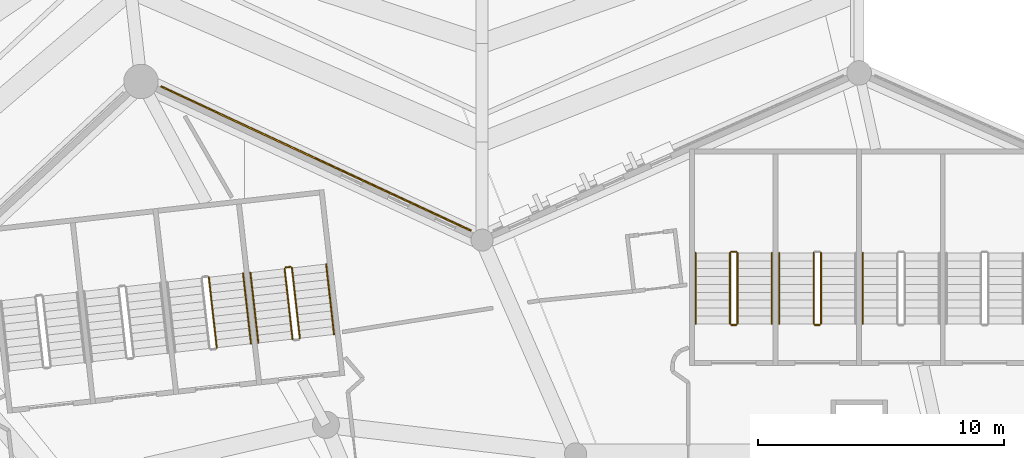
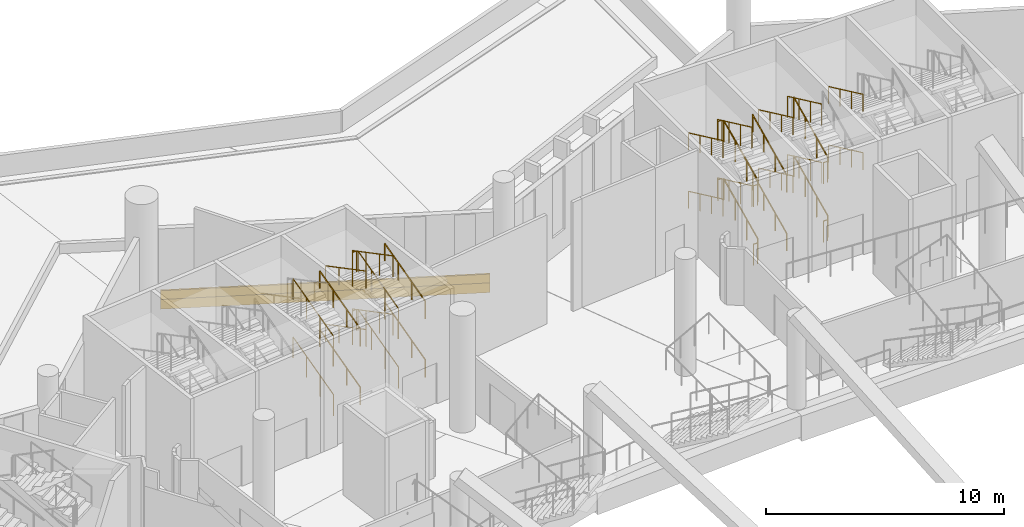
# One storey, part 155 of 173: 36 railings, 2 coverings.
"""IFC4 building model written with IfcOpenShell, lengths in metres."""

from ifc_helpers import new_model, si_unit, direction, frame, origin, origin_2d, place, context, subcontext, project, spatial, rectangle, circle, extrude, material, layer, layer_set, type_object, element, save


model = new_model("IFC4")

# Units and contexts
model_context = context("Model", 3, precision=1e-05, world=origin(), true_north=direction((0.0, 1.0)))
body_context = subcontext(model_context, "Body", "Model", "MODEL_VIEW")
ifc_project = project(units=[si_unit("LENGTHUNIT", "METRE"), si_unit("AREAUNIT", "SQUARE_METRE"), si_unit("VOLUMEUNIT", "CUBIC_METRE"), si_unit("PLANEANGLEUNIT", "RADIAN"), si_unit("MASSUNIT", "GRAM", prefix="KILO")], contexts=[model_context])

# Site, building, storey
site_placement = place(None, origin())
site = spatial("IfcSite", under=ifc_project, at=site_placement, CompositionType="ELEMENT")
building_placement = place(site_placement, origin())
building = spatial("IfcBuilding", under=site, at=building_placement, Name="Meseta Stadium", CompositionType="ELEMENT")
storey_placement = place(building_placement, frame((0.0, 0.0, 18.0)))
storey = spatial("IfcBuildingStorey", under=building, at=storey_placement, Name="L03", CompositionType="ELEMENT", Elevation=18.0)

# Covering
ifc_material_1 = material(Name="Guadarrama granite cladding", Category="masonry")
ifc_layer_1 = layer(ifc_material_1, 0.06005859375)
ifc_layer_set_1 = layer_set([ifc_layer_1], Name="Granite plinth cladding 60")
covering_type_1 = type_object("IfcCoveringType", Name="Granite plinth cladding 60", PredefinedType="CLADDING", material=ifc_layer_set_1)
covering_1_placement = place(storey_placement, frame((-45.089599609375, 101.913818359375, 0.0), z_axis=(0.0, 0.0, 1.0), x_axis=(0.906702748296, -0.421770229193, 0.0)))
element("IfcCovering", 1, at=covering_1_placement, inside=storey, type_object=covering_type_1, Name="Granite plinth L03 F21", PredefinedType="CLADDING", context=body_context, shape_type="SweptSolid", body=[
    extrude(rectangle(XDim=13.907958984375, YDim=0.06005859375, at=origin_2d()), origin(), (0.0, 0.0, 1.0), 0.5),
])

# Railings
ifc_material_2 = material(Name="Steel S355", Category="steel")
railing_type_1 = type_object("IfcRailingType", Name="Stair guard 1100", PredefinedType="GUARDRAIL", material=ifc_material_2)
railing_1_placement = place(storey_placement, frame((-24.550048828125, 95.199951171875, 0.14990234375)))
element("IfcRailing", 2, at=railing_1_placement, inside=storey, type_object=railing_type_1, Name="ST43 L03 guard 1", PredefinedType="GUARDRAIL", context=body_context, shape_type="SweptSolid", body=[
    extrude(circle(Radius=0.02392578125, at=origin_2d()), frame((0.0, 0.0, 1.076171875), z_axis=(0.0, 0.905454327043, 0.424443708447), x_axis=(-1.0, 0.0, 0.0)), (0.0, 0.0, 1.0), 3.180908203125),
    extrude(circle(Radius=0.02099609375, at=origin_2d()), origin(), (0.0, 0.0, 1.0), 1.052001953125),
    extrude(circle(Radius=0.02099609375, at=origin_2d()), frame((0.0, 0.9599609375, 0.449951171875)), (0.0, 0.0, 1.0), 1.052001953125),
    extrude(circle(Radius=0.02099609375, at=origin_2d()), frame((0.0, 1.920166015625, 0.900146484375)), (0.0, 0.0, 1.0), 1.052001953125),
    extrude(circle(Radius=0.02099609375, at=origin_2d()), frame((0.0, 2.880126953125, 1.35009765625)), (0.0, 0.0, 1.0), 1.052001953125),
])
railing_2_placement = place(storey_placement, frame((-24.85009765625, 98.080078125, 1.64990234375)))
element("IfcRailing", 3, at=railing_2_placement, inside=storey, type_object=railing_type_1, Name="ST43 L03 guard 3", PredefinedType="GUARDRAIL", context=body_context, shape_type="SweptSolid", body=[
    extrude(circle(Radius=0.02392578125, at=origin_2d()), frame((0.0, 0.0, 1.076171875), z_axis=(0.0, -0.905454327043, 0.424443708447), x_axis=(1.0, 0.0, 0.0)), (0.0, 0.0, 1.0), 3.180908203125),
    extrude(circle(Radius=0.02099609375, at=origin_2d()), origin(), (0.0, 0.0, 1.0), 1.052001953125),
    extrude(circle(Radius=0.02099609375, at=origin_2d()), frame((0.0, -0.9599609375, 0.449951171875)), (0.0, 0.0, 1.0), 1.052001953125),
    extrude(circle(Radius=0.02099609375, at=origin_2d()), frame((0.0, -1.920166015625, 0.900146484375)), (0.0, 0.0, 1.0), 1.052001953125),
    extrude(circle(Radius=0.02099609375, at=origin_2d()), frame((0.0, -2.880126953125, 1.35009765625)), (0.0, 0.0, 1.0), 1.052001953125),
])
railing_3_placement = place(storey_placement, frame((-24.60009765625, 95.14990234375, 3.0)))
element("IfcRailing", 4, at=railing_3_placement, inside=storey, type_object=railing_type_1, Name="ST43 L03 guard 4", PredefinedType="GUARDRAIL", context=body_context, shape_type="SweptSolid", body=[
    extrude(circle(Radius=0.02392578125, at=origin_2d()), frame((0.0, 0.0, 1.076171875), z_axis=(-1.0, 0.0, 0.0), x_axis=(0.0, -1.0, 0.0)), (0.0, 0.0, 1.0), 0.199951171875),
    extrude(circle(Radius=0.02099609375, at=origin_2d()), origin(), (0.0, 0.0, 1.0), 1.052001953125),
    extrude(circle(Radius=0.02099609375, at=origin_2d()), frame((-0.199951171875, 0.0, 0.0)), (0.0, 0.0, 1.0), 1.052001953125),
])
railing_4_placement = place(storey_placement, frame((-24.550048828125, 95.199951171875, 3.14990234375)))
element("IfcRailing", 5, at=railing_4_placement, inside=storey, type_object=railing_type_1, Name="ST43 L03 guard 5", PredefinedType="GUARDRAIL", context=body_context, shape_type="SweptSolid", body=[
    extrude(circle(Radius=0.02392578125, at=origin_2d()), frame((0.0, 0.0, 1.076171875), z_axis=(0.0, 0.905454327043, 0.424443708447), x_axis=(-1.0, 0.0, 0.0)), (0.0, 0.0, 1.0), 3.180908203125),
    extrude(circle(Radius=0.02099609375, at=origin_2d()), origin(), (0.0, 0.0, 1.0), 1.052001953125),
    extrude(circle(Radius=0.02099609375, at=origin_2d()), frame((0.0, 0.9599609375, 0.449951171875)), (0.0, 0.0, 1.0), 1.052001953125),
    extrude(circle(Radius=0.02099609375, at=origin_2d()), frame((0.0, 1.920166015625, 0.900146484375)), (0.0, 0.0, 1.0), 1.052001953125),
    extrude(circle(Radius=0.02099609375, at=origin_2d()), frame((0.0, 2.880126953125, 1.35009765625)), (0.0, 0.0, 1.0), 1.052001953125),
])
railing_5_placement = place(storey_placement, frame((-24.85009765625, 98.080078125, 4.64990234375)))
element("IfcRailing", 6, at=railing_5_placement, inside=storey, type_object=railing_type_1, Name="ST43 L03 guard 7", PredefinedType="GUARDRAIL", context=body_context, shape_type="SweptSolid", body=[
    extrude(circle(Radius=0.02392578125, at=origin_2d()), frame((0.0, 0.0, 1.076171875), z_axis=(0.0, -0.905454327043, 0.424443708447), x_axis=(1.0, 0.0, 0.0)), (0.0, 0.0, 1.0), 3.180908203125),
    extrude(circle(Radius=0.02099609375, at=origin_2d()), origin(), (0.0, 0.0, 1.0), 1.052001953125),
    extrude(circle(Radius=0.02099609375, at=origin_2d()), frame((0.0, -0.9599609375, 0.449951171875)), (0.0, 0.0, 1.0), 1.052001953125),
    extrude(circle(Radius=0.02099609375, at=origin_2d()), frame((0.0, -1.920166015625, 0.900146484375)), (0.0, 0.0, 1.0), 1.052001953125),
    extrude(circle(Radius=0.02099609375, at=origin_2d()), frame((0.0, -2.880126953125, 1.35009765625)), (0.0, 0.0, 1.0), 1.052001953125),
])
railing_6_placement = place(storey_placement, frame((-24.60009765625, 95.14990234375, 0.0)))
element("IfcRailing", 7, at=railing_6_placement, inside=storey, type_object=railing_type_1, Name="ST43 L03 guard 8", PredefinedType="GUARDRAIL", context=body_context, shape_type="SweptSolid", body=[
    extrude(circle(Radius=0.02392578125, at=origin_2d()), frame((0.0, 0.0, 1.076171875), z_axis=(-1.0, 0.0, 0.0), x_axis=(0.0, -1.0, 0.0)), (0.0, 0.0, 1.0), 0.199951171875),
    extrude(circle(Radius=0.02099609375, at=origin_2d()), origin(), (0.0, 0.0, 1.0), 1.052001953125),
    extrude(circle(Radius=0.02099609375, at=origin_2d()), frame((-0.199951171875, 0.0, 0.0)), (0.0, 0.0, 1.0), 1.052001953125),
])
railing_7_placement = place(storey_placement, frame((-27.949951171875, 95.199951171875, 0.14990234375)))
element("IfcRailing", 8, at=railing_7_placement, inside=storey, type_object=railing_type_1, Name="ST44 L03 guard 1", PredefinedType="GUARDRAIL", context=body_context, shape_type="SweptSolid", body=[
    extrude(circle(Radius=0.02392578125, at=origin_2d()), frame((0.0, 0.0, 1.076171875), z_axis=(0.0, 0.905454327043, 0.424443708447), x_axis=(-1.0, 0.0, 0.0)), (0.0, 0.0, 1.0), 3.180908203125),
    extrude(circle(Radius=0.02099609375, at=origin_2d()), origin(), (0.0, 0.0, 1.0), 1.052001953125),
    extrude(circle(Radius=0.02099609375, at=origin_2d()), frame((0.0, 0.9599609375, 0.449951171875)), (0.0, 0.0, 1.0), 1.052001953125),
    extrude(circle(Radius=0.02099609375, at=origin_2d()), frame((0.0, 1.920166015625, 0.900146484375)), (0.0, 0.0, 1.0), 1.052001953125),
    extrude(circle(Radius=0.02099609375, at=origin_2d()), frame((0.0, 2.880126953125, 1.35009765625)), (0.0, 0.0, 1.0), 1.052001953125),
])
railing_8_placement = place(storey_placement, frame((-28.0, 98.1298828125, 1.5)))
element("IfcRailing", 9, at=railing_8_placement, inside=storey, type_object=railing_type_1, Name="ST44 L03 guard 2", PredefinedType="GUARDRAIL", context=body_context, shape_type="SweptSolid", body=[
    extrude(circle(Radius=0.02392578125, at=origin_2d()), frame((0.0, 0.0, 1.076171875), z_axis=(-1.0, 0.0, 0.0), x_axis=(0.0, -1.0, 0.0)), (0.0, 0.0, 1.0), 0.199951171875),
    extrude(circle(Radius=0.02099609375, at=origin_2d()), origin(), (0.0, 0.0, 1.0), 1.052001953125),
    extrude(circle(Radius=0.02099609375, at=origin_2d()), frame((-0.199951171875, 0.0, 0.0)), (0.0, 0.0, 1.0), 1.052001953125),
])
railing_9_placement = place(storey_placement, frame((-28.25, 98.080078125, 1.64990234375)))
element("IfcRailing", 10, at=railing_9_placement, inside=storey, type_object=railing_type_1, Name="ST44 L03 guard 3", PredefinedType="GUARDRAIL", context=body_context, shape_type="SweptSolid", body=[
    extrude(circle(Radius=0.02392578125, at=origin_2d()), frame((0.0, 0.0, 1.076171875), z_axis=(0.0, -0.905454327043, 0.424443708447), x_axis=(1.0, 0.0, 0.0)), (0.0, 0.0, 1.0), 3.180908203125),
    extrude(circle(Radius=0.02099609375, at=origin_2d()), origin(), (0.0, 0.0, 1.0), 1.052001953125),
    extrude(circle(Radius=0.02099609375, at=origin_2d()), frame((0.0, -0.9599609375, 0.449951171875)), (0.0, 0.0, 1.0), 1.052001953125),
    extrude(circle(Radius=0.02099609375, at=origin_2d()), frame((0.0, -1.920166015625, 0.900146484375)), (0.0, 0.0, 1.0), 1.052001953125),
    extrude(circle(Radius=0.02099609375, at=origin_2d()), frame((0.0, -2.880126953125, 1.35009765625)), (0.0, 0.0, 1.0), 1.052001953125),
])
railing_10_placement = place(storey_placement, frame((-28.0, 95.14990234375, 3.0)))
element("IfcRailing", 11, at=railing_10_placement, inside=storey, type_object=railing_type_1, Name="ST44 L03 guard 4", PredefinedType="GUARDRAIL", context=body_context, shape_type="SweptSolid", body=[
    extrude(circle(Radius=0.02392578125, at=origin_2d()), frame((0.0, 0.0, 1.076171875), z_axis=(-1.0, 0.0, 0.0), x_axis=(0.0, -1.0, 0.0)), (0.0, 0.0, 1.0), 0.199951171875),
    extrude(circle(Radius=0.02099609375, at=origin_2d()), origin(), (0.0, 0.0, 1.0), 1.052001953125),
    extrude(circle(Radius=0.02099609375, at=origin_2d()), frame((-0.199951171875, 0.0, 0.0)), (0.0, 0.0, 1.0), 1.052001953125),
])
railing_11_placement = place(storey_placement, frame((-27.949951171875, 95.199951171875, 3.14990234375)))
element("IfcRailing", 12, at=railing_11_placement, inside=storey, type_object=railing_type_1, Name="ST44 L03 guard 5", PredefinedType="GUARDRAIL", context=body_context, shape_type="SweptSolid", body=[
    extrude(circle(Radius=0.02392578125, at=origin_2d()), frame((0.0, 0.0, 1.076171875), z_axis=(0.0, 0.905454327043, 0.424443708447), x_axis=(-1.0, 0.0, 0.0)), (0.0, 0.0, 1.0), 3.180908203125),
    extrude(circle(Radius=0.02099609375, at=origin_2d()), origin(), (0.0, 0.0, 1.0), 1.052001953125),
    extrude(circle(Radius=0.02099609375, at=origin_2d()), frame((0.0, 0.9599609375, 0.449951171875)), (0.0, 0.0, 1.0), 1.052001953125),
    extrude(circle(Radius=0.02099609375, at=origin_2d()), frame((0.0, 1.920166015625, 0.900146484375)), (0.0, 0.0, 1.0), 1.052001953125),
    extrude(circle(Radius=0.02099609375, at=origin_2d()), frame((0.0, 2.880126953125, 1.35009765625)), (0.0, 0.0, 1.0), 1.052001953125),
])
railing_12_placement = place(storey_placement, frame((-28.0, 98.1298828125, 4.5)))
element("IfcRailing", 13, at=railing_12_placement, inside=storey, type_object=railing_type_1, Name="ST44 L03 guard 6", PredefinedType="GUARDRAIL", context=body_context, shape_type="SweptSolid", body=[
    extrude(circle(Radius=0.02392578125, at=origin_2d()), frame((0.0, 0.0, 1.076171875), z_axis=(-1.0, 0.0, 0.0), x_axis=(0.0, -1.0, 0.0)), (0.0, 0.0, 1.0), 0.199951171875),
    extrude(circle(Radius=0.02099609375, at=origin_2d()), origin(), (0.0, 0.0, 1.0), 1.052001953125),
    extrude(circle(Radius=0.02099609375, at=origin_2d()), frame((-0.199951171875, 0.0, 0.0)), (0.0, 0.0, 1.0), 1.052001953125),
])
railing_13_placement = place(storey_placement, frame((-28.25, 98.080078125, 4.64990234375)))
element("IfcRailing", 14, at=railing_13_placement, inside=storey, type_object=railing_type_1, Name="ST44 L03 guard 7", PredefinedType="GUARDRAIL", context=body_context, shape_type="SweptSolid", body=[
    extrude(circle(Radius=0.02392578125, at=origin_2d()), frame((0.0, 0.0, 1.076171875), z_axis=(0.0, -0.905454327043, 0.424443708447), x_axis=(1.0, 0.0, 0.0)), (0.0, 0.0, 1.0), 3.180908203125),
    extrude(circle(Radius=0.02099609375, at=origin_2d()), origin(), (0.0, 0.0, 1.0), 1.052001953125),
    extrude(circle(Radius=0.02099609375, at=origin_2d()), frame((0.0, -0.9599609375, 0.449951171875)), (0.0, 0.0, 1.0), 1.052001953125),
    extrude(circle(Radius=0.02099609375, at=origin_2d()), frame((0.0, -1.920166015625, 0.900146484375)), (0.0, 0.0, 1.0), 1.052001953125),
    extrude(circle(Radius=0.02099609375, at=origin_2d()), frame((0.0, -2.880126953125, 1.35009765625)), (0.0, 0.0, 1.0), 1.052001953125),
])
railing_14_placement = place(storey_placement, frame((-28.0, 95.14990234375, 0.0)))
element("IfcRailing", 15, at=railing_14_placement, inside=storey, type_object=railing_type_1, Name="ST44 L03 guard 8", PredefinedType="GUARDRAIL", context=body_context, shape_type="SweptSolid", body=[
    extrude(circle(Radius=0.02392578125, at=origin_2d()), frame((0.0, 0.0, 1.076171875), z_axis=(-1.0, 0.0, 0.0), x_axis=(0.0, -1.0, 0.0)), (0.0, 0.0, 1.0), 0.199951171875),
    extrude(circle(Radius=0.02099609375, at=origin_2d()), origin(), (0.0, 0.0, 1.0), 1.052001953125),
    extrude(circle(Radius=0.02099609375, at=origin_2d()), frame((-0.199951171875, 0.0, 0.0)), (0.0, 0.0, 1.0), 1.052001953125),
])
railing_15_placement = place(storey_placement, frame((-45.742919921875, 94.609375, 0.14990234375)))
element("IfcRailing", 16, at=railing_15_placement, inside=storey, type_object=railing_type_1, Name="ST45 L03 guard 1", PredefinedType="GUARDRAIL", context=body_context, shape_type="SweptSolid", body=[
    extrude(circle(Radius=0.02392578125, at=origin_2d()), frame((0.0, 0.0, 1.076171875), z_axis=(-0.10139626197, 0.899747905232, 0.424467319223), x_axis=(-0.993709872468, -0.111985219376, 0.0)), (0.0, 0.0, 1.0), 3.1806640625),
    extrude(circle(Radius=0.02099609375, at=origin_2d()), origin(), (0.0, 0.0, 1.0), 1.052001953125),
    extrude(circle(Radius=0.02099609375, at=origin_2d()), frame((-0.107421875, 0.953857421875, 0.449951171875)), (0.0, 0.0, 1.0), 1.052001953125),
    extrude(circle(Radius=0.02099609375, at=origin_2d()), frame((-0.215087890625, 1.907958984375, 0.900146484375)), (0.0, 0.0, 1.0), 1.052001953125),
    extrude(circle(Radius=0.02099609375, at=origin_2d()), frame((-0.322509765625, 2.86181640625, 1.35009765625)), (0.0, 0.0, 1.0), 1.052001953125),
])
railing_16_placement = place(storey_placement, frame((-46.120849609375, 97.51513671875, 1.5)))
element("IfcRailing", 17, at=railing_16_placement, inside=storey, type_object=railing_type_1, Name="ST45 L03 guard 2", PredefinedType="GUARDRAIL", context=body_context, shape_type="SweptSolid", body=[
    extrude(circle(Radius=0.02392578125, at=origin_2d()), frame((0.0, 0.0, 1.076171875), z_axis=(-0.993809063983, -0.111101504696, 0.0), x_axis=(0.111101504696, -0.993809063983, 0.0)), (0.0, 0.0, 1.0), 0.199951171875),
    extrude(circle(Radius=0.02099609375, at=origin_2d()), origin(), (0.0, 0.0, 1.0), 1.052001953125),
    extrude(circle(Radius=0.02099609375, at=origin_2d()), frame((-0.19873046875, -0.022216796875, 0.0)), (0.0, 0.0, 1.0), 1.052001953125),
])
railing_17_placement = place(storey_placement, frame((-46.363525390625, 97.4375, 1.64990234375)))
element("IfcRailing", 18, at=railing_17_placement, inside=storey, type_object=railing_type_1, Name="ST45 L03 guard 3", PredefinedType="GUARDRAIL", context=body_context, shape_type="SweptSolid", body=[
    extrude(circle(Radius=0.02392578125, at=origin_2d()), frame((0.0, 0.0, 1.076171875), z_axis=(0.101320293039, -0.899754905305, 0.424470621595), x_axis=(0.993719302648, 0.111901508232, 0.0)), (0.0, 0.0, 1.0), 3.1806640625),
    extrude(circle(Radius=0.02099609375, at=origin_2d()), origin(), (0.0, 0.0, 1.0), 1.052001953125),
    extrude(circle(Radius=0.02099609375, at=origin_2d()), frame((0.107421875, -0.953857421875, 0.449951171875)), (0.0, 0.0, 1.0), 1.052001953125),
    extrude(circle(Radius=0.02099609375, at=origin_2d()), frame((0.21484375, -1.907958984375, 0.900146484375)), (0.0, 0.0, 1.0), 1.052001953125),
    extrude(circle(Radius=0.02099609375, at=origin_2d()), frame((0.322265625, -2.86181640625, 1.35009765625)), (0.0, 0.0, 1.0), 1.052001953125),
])
railing_18_placement = place(storey_placement, frame((-45.742919921875, 94.609375, 3.14990234375)))
element("IfcRailing", 19, at=railing_18_placement, inside=storey, type_object=railing_type_1, Name="ST45 L03 guard 5", PredefinedType="GUARDRAIL", context=body_context, shape_type="SweptSolid", body=[
    extrude(circle(Radius=0.02392578125, at=origin_2d()), frame((0.0, 0.0, 1.076171875), z_axis=(-0.10139626197, 0.899747905232, 0.424467319223), x_axis=(-0.993709872468, -0.111985219376, 0.0)), (0.0, 0.0, 1.0), 3.1806640625),
    extrude(circle(Radius=0.02099609375, at=origin_2d()), origin(), (0.0, 0.0, 1.0), 1.052001953125),
    extrude(circle(Radius=0.02099609375, at=origin_2d()), frame((-0.107421875, 0.953857421875, 0.449951171875)), (0.0, 0.0, 1.0), 1.052001953125),
    extrude(circle(Radius=0.02099609375, at=origin_2d()), frame((-0.215087890625, 1.907958984375, 0.900146484375)), (0.0, 0.0, 1.0), 1.052001953125),
    extrude(circle(Radius=0.02099609375, at=origin_2d()), frame((-0.322509765625, 2.86181640625, 1.35009765625)), (0.0, 0.0, 1.0), 1.052001953125),
])
railing_19_placement = place(storey_placement, frame((-46.120849609375, 97.51513671875, 4.5)))
element("IfcRailing", 20, at=railing_19_placement, inside=storey, type_object=railing_type_1, Name="ST45 L03 guard 6", PredefinedType="GUARDRAIL", context=body_context, shape_type="SweptSolid", body=[
    extrude(circle(Radius=0.02392578125, at=origin_2d()), frame((0.0, 0.0, 1.076171875), z_axis=(-0.993809063983, -0.111101504696, 0.0), x_axis=(0.111101504696, -0.993809063983, 0.0)), (0.0, 0.0, 1.0), 0.199951171875),
    extrude(circle(Radius=0.02099609375, at=origin_2d()), origin(), (0.0, 0.0, 1.0), 1.052001953125),
    extrude(circle(Radius=0.02099609375, at=origin_2d()), frame((-0.19873046875, -0.022216796875, 0.0)), (0.0, 0.0, 1.0), 1.052001953125),
])
railing_20_placement = place(storey_placement, frame((-46.363525390625, 97.4375, 4.64990234375)))
element("IfcRailing", 21, at=railing_20_placement, inside=storey, type_object=railing_type_1, Name="ST45 L03 guard 7", PredefinedType="GUARDRAIL", context=body_context, shape_type="SweptSolid", body=[
    extrude(circle(Radius=0.02392578125, at=origin_2d()), frame((0.0, 0.0, 1.076171875), z_axis=(0.101320293039, -0.899754905305, 0.424470621595), x_axis=(0.993719302648, 0.111901508232, 0.0)), (0.0, 0.0, 1.0), 3.1806640625),
    extrude(circle(Radius=0.02099609375, at=origin_2d()), origin(), (0.0, 0.0, 1.0), 1.052001953125),
    extrude(circle(Radius=0.02099609375, at=origin_2d()), frame((0.107421875, -0.953857421875, 0.449951171875)), (0.0, 0.0, 1.0), 1.052001953125),
    extrude(circle(Radius=0.02099609375, at=origin_2d()), frame((0.21484375, -1.907958984375, 0.900146484375)), (0.0, 0.0, 1.0), 1.052001953125),
    extrude(circle(Radius=0.02099609375, at=origin_2d()), frame((0.322265625, -2.86181640625, 1.35009765625)), (0.0, 0.0, 1.0), 1.052001953125),
])
for number, where, name in (
    (22, (-49.12158203125, 94.228515625, 0.14990234375), "ST46 L03 guard 1"),
    (23, (-49.12158203125, 94.228515625, 3.14990234375), "ST46 L03 guard 5"),
):
    element("IfcRailing", number, at=place(storey_placement, frame(where)), inside=storey, type_object=railing_type_1, Name=name, PredefinedType="GUARDRAIL", context=body_context, shape_type="SweptSolid", body=[
        extrude(circle(Radius=0.02392578125, at=origin_2d()), frame((0.0, 0.0, 1.076171875), z_axis=(-0.101389259755, 0.899762522411, 0.424438006392), x_axis=(-0.993710935447, -0.11197578655, 0.0)), (0.0, 0.0, 1.0), 3.180908203125),
        extrude(circle(Radius=0.02099609375, at=origin_2d()), origin(), (0.0, 0.0, 1.0), 1.052001953125),
        extrude(circle(Radius=0.02099609375, at=origin_2d()), frame((-0.107421875, 0.9541015625, 0.449951171875)), (0.0, 0.0, 1.0), 1.052001953125),
        extrude(circle(Radius=0.02099609375, at=origin_2d()), frame((-0.215087890625, 1.907958984375, 0.900146484375)), (0.0, 0.0, 1.0), 1.052001953125),
        extrude(circle(Radius=0.02099609375, at=origin_2d()), frame((-0.322509765625, 2.862060546875, 1.35009765625)), (0.0, 0.0, 1.0), 1.052001953125),
    ])
ifc_material_3 = material(Name="Steel S355", Category="steel")
railing_type_2 = type_object("IfcRailingType", Name="Stair handrail 900", PredefinedType="HANDRAIL", material=ifc_material_3)
for number, where, name in (
    (24, (-22.85009765625, 98.080078125, 1.64990234375), "ST42 L03 handrail 2"),
    (25, (-22.85009765625, 98.080078125, 4.64990234375), "ST42 L03 handrail 4"),
    (26, (-26.25, 98.080078125, 1.64990234375), "ST43 L03 handrail 2"),
    (27, (-26.25, 98.080078125, 4.64990234375), "ST43 L03 handrail 4"),
):
    element("IfcRailing", number, at=place(storey_placement, frame(where)), inside=storey, type_object=railing_type_2, Name=name, PredefinedType="HANDRAIL", context=body_context, shape_type="SweptSolid", body=[
        extrude(circle(Radius=0.02392578125, at=origin_2d()), frame((0.0, 0.0, 0.8759765625), z_axis=(0.0, -0.905454327043, 0.424443708447), x_axis=(1.0, 0.0, 0.0)), (0.0, 0.0, 1.0), 3.180908203125),
        extrude(circle(Radius=0.02099609375, at=origin_2d()), origin(), (0.0, 0.0, 1.0), 0.851806640625),
        extrude(circle(Radius=0.02099609375, at=origin_2d()), frame((0.0, -0.9599609375, 0.449951171875)), (0.0, 0.0, 1.0), 0.851806640625),
        extrude(circle(Radius=0.02099609375, at=origin_2d()), frame((0.0, -1.920166015625, 0.900146484375)), (0.0, 0.0, 1.0), 0.851806640625),
        extrude(circle(Radius=0.02099609375, at=origin_2d()), frame((0.0, -2.880126953125, 1.35009765625)), (0.0, 0.0, 1.0), 0.851806640625),
    ])
railing_21_placement = place(storey_placement, frame((-26.550048828125, 95.199951171875, 0.14990234375)))
element("IfcRailing", 28, at=railing_21_placement, inside=storey, type_object=railing_type_2, Name="ST44 L03 handrail 1", PredefinedType="HANDRAIL", context=body_context, shape_type="SweptSolid", body=[
    extrude(circle(Radius=0.02392578125, at=origin_2d()), frame((0.0, 0.0, 0.8759765625), z_axis=(0.0, 0.905454327043, 0.424443708447), x_axis=(-1.0, 0.0, 0.0)), (0.0, 0.0, 1.0), 3.180908203125),
    extrude(circle(Radius=0.02099609375, at=origin_2d()), origin(), (0.0, 0.0, 1.0), 0.851806640625),
    extrude(circle(Radius=0.02099609375, at=origin_2d()), frame((0.0, 0.9599609375, 0.449951171875)), (0.0, 0.0, 1.0), 0.851806640625),
    extrude(circle(Radius=0.02099609375, at=origin_2d()), frame((0.0, 1.920166015625, 0.900146484375)), (0.0, 0.0, 1.0), 0.851806640625),
    extrude(circle(Radius=0.02099609375, at=origin_2d()), frame((0.0, 2.880126953125, 1.35009765625)), (0.0, 0.0, 1.0), 0.851806640625),
])
railing_22_placement = place(storey_placement, frame((-29.64990234375, 98.080078125, 1.64990234375)))
element("IfcRailing", 29, at=railing_22_placement, inside=storey, type_object=railing_type_2, Name="ST44 L03 handrail 2", PredefinedType="HANDRAIL", context=body_context, shape_type="SweptSolid", body=[
    extrude(circle(Radius=0.02392578125, at=origin_2d()), frame((0.0, 0.0, 0.8759765625), z_axis=(0.0, -0.905454327043, 0.424443708447), x_axis=(1.0, 0.0, 0.0)), (0.0, 0.0, 1.0), 3.180908203125),
    extrude(circle(Radius=0.02099609375, at=origin_2d()), origin(), (0.0, 0.0, 1.0), 0.851806640625),
    extrude(circle(Radius=0.02099609375, at=origin_2d()), frame((0.0, -0.9599609375, 0.449951171875)), (0.0, 0.0, 1.0), 0.851806640625),
    extrude(circle(Radius=0.02099609375, at=origin_2d()), frame((0.0, -1.920166015625, 0.900146484375)), (0.0, 0.0, 1.0), 0.851806640625),
    extrude(circle(Radius=0.02099609375, at=origin_2d()), frame((0.0, -2.880126953125, 1.35009765625)), (0.0, 0.0, 1.0), 0.851806640625),
])
railing_23_placement = place(storey_placement, frame((-26.550048828125, 95.199951171875, 3.14990234375)))
element("IfcRailing", 30, at=railing_23_placement, inside=storey, type_object=railing_type_2, Name="ST44 L03 handrail 3", PredefinedType="HANDRAIL", context=body_context, shape_type="SweptSolid", body=[
    extrude(circle(Radius=0.02392578125, at=origin_2d()), frame((0.0, 0.0, 0.8759765625), z_axis=(0.0, 0.905454327043, 0.424443708447), x_axis=(-1.0, 0.0, 0.0)), (0.0, 0.0, 1.0), 3.180908203125),
    extrude(circle(Radius=0.02099609375, at=origin_2d()), origin(), (0.0, 0.0, 1.0), 0.851806640625),
    extrude(circle(Radius=0.02099609375, at=origin_2d()), frame((0.0, 0.9599609375, 0.449951171875)), (0.0, 0.0, 1.0), 0.851806640625),
    extrude(circle(Radius=0.02099609375, at=origin_2d()), frame((0.0, 1.920166015625, 0.900146484375)), (0.0, 0.0, 1.0), 0.851806640625),
    extrude(circle(Radius=0.02099609375, at=origin_2d()), frame((0.0, 2.880126953125, 1.35009765625)), (0.0, 0.0, 1.0), 0.851806640625),
])
railing_24_placement = place(storey_placement, frame((-29.64990234375, 98.080078125, 4.64990234375)))
element("IfcRailing", 31, at=railing_24_placement, inside=storey, type_object=railing_type_2, Name="ST44 L03 handrail 4", PredefinedType="HANDRAIL", context=body_context, shape_type="SweptSolid", body=[
    extrude(circle(Radius=0.02392578125, at=origin_2d()), frame((0.0, 0.0, 0.8759765625), z_axis=(0.0, -0.905454327043, 0.424443708447), x_axis=(1.0, 0.0, 0.0)), (0.0, 0.0, 1.0), 3.180908203125),
    extrude(circle(Radius=0.02099609375, at=origin_2d()), origin(), (0.0, 0.0, 1.0), 0.851806640625),
    extrude(circle(Radius=0.02099609375, at=origin_2d()), frame((0.0, -0.9599609375, 0.449951171875)), (0.0, 0.0, 1.0), 0.851806640625),
    extrude(circle(Radius=0.02099609375, at=origin_2d()), frame((0.0, -1.920166015625, 0.900146484375)), (0.0, 0.0, 1.0), 0.851806640625),
    extrude(circle(Radius=0.02099609375, at=origin_2d()), frame((0.0, -2.880126953125, 1.35009765625)), (0.0, 0.0, 1.0), 0.851806640625),
])
railing_25_placement = place(storey_placement, frame((-44.351806640625, 94.76611328125, 0.14990234375)))
element("IfcRailing", 32, at=railing_25_placement, inside=storey, type_object=railing_type_2, Name="ST45 L03 handrail 1", PredefinedType="HANDRAIL", context=body_context, shape_type="SweptSolid", body=[
    extrude(circle(Radius=0.02392578125, at=origin_2d()), frame((0.0, 0.0, 0.8759765625), z_axis=(-0.10139626197, 0.899747905232, 0.424467319223), x_axis=(-0.993709872468, -0.111985219376, 0.0)), (0.0, 0.0, 1.0), 3.1806640625),
    extrude(circle(Radius=0.02099609375, at=origin_2d()), origin(), (0.0, 0.0, 1.0), 0.851806640625),
    extrude(circle(Radius=0.02099609375, at=origin_2d()), frame((-0.107421875, 0.953857421875, 0.449951171875)), (0.0, 0.0, 1.0), 0.851806640625),
    extrude(circle(Radius=0.02099609375, at=origin_2d()), frame((-0.215087890625, 1.907958984375, 0.900146484375)), (0.0, 0.0, 1.0), 0.851806640625),
    extrude(circle(Radius=0.02099609375, at=origin_2d()), frame((-0.322509765625, 2.86181640625, 1.35009765625)), (0.0, 0.0, 1.0), 0.851806640625),
])
railing_26_placement = place(storey_placement, frame((-47.7548828125, 97.28076171875, 1.64990234375)))
element("IfcRailing", 33, at=railing_26_placement, inside=storey, type_object=railing_type_2, Name="ST45 L03 handrail 2", PredefinedType="HANDRAIL", context=body_context, shape_type="SweptSolid", body=[
    extrude(circle(Radius=0.02392578125, at=origin_2d()), frame((0.0, 0.0, 0.8759765625), z_axis=(0.10139626197, -0.899747905232, 0.424467319223), x_axis=(0.993709872468, 0.111985219376, 0.0)), (0.0, 0.0, 1.0), 3.1806640625),
    extrude(circle(Radius=0.02099609375, at=origin_2d()), origin(), (0.0, 0.0, 1.0), 0.851806640625),
    extrude(circle(Radius=0.02099609375, at=origin_2d()), frame((0.107421875, -0.953857421875, 0.449951171875)), (0.0, 0.0, 1.0), 0.851806640625),
    extrude(circle(Radius=0.02099609375, at=origin_2d()), frame((0.215087890625, -1.907958984375, 0.900146484375)), (0.0, 0.0, 1.0), 0.851806640625),
    extrude(circle(Radius=0.02099609375, at=origin_2d()), frame((0.322509765625, -2.86181640625, 1.35009765625)), (0.0, 0.0, 1.0), 0.851806640625),
])
railing_27_placement = place(storey_placement, frame((-44.351806640625, 94.76611328125, 3.14990234375)))
element("IfcRailing", 34, at=railing_27_placement, inside=storey, type_object=railing_type_2, Name="ST45 L03 handrail 3", PredefinedType="HANDRAIL", context=body_context, shape_type="SweptSolid", body=[
    extrude(circle(Radius=0.02392578125, at=origin_2d()), frame((0.0, 0.0, 0.8759765625), z_axis=(-0.10139626197, 0.899747905232, 0.424467319223), x_axis=(-0.993709872468, -0.111985219376, 0.0)), (0.0, 0.0, 1.0), 3.1806640625),
    extrude(circle(Radius=0.02099609375, at=origin_2d()), origin(), (0.0, 0.0, 1.0), 0.851806640625),
    extrude(circle(Radius=0.02099609375, at=origin_2d()), frame((-0.107421875, 0.953857421875, 0.449951171875)), (0.0, 0.0, 1.0), 0.851806640625),
    extrude(circle(Radius=0.02099609375, at=origin_2d()), frame((-0.215087890625, 1.907958984375, 0.900146484375)), (0.0, 0.0, 1.0), 0.851806640625),
    extrude(circle(Radius=0.02099609375, at=origin_2d()), frame((-0.322509765625, 2.86181640625, 1.35009765625)), (0.0, 0.0, 1.0), 0.851806640625),
])
railing_28_placement = place(storey_placement, frame((-47.7548828125, 97.28076171875, 4.64990234375)))
element("IfcRailing", 35, at=railing_28_placement, inside=storey, type_object=railing_type_2, Name="ST45 L03 handrail 4", PredefinedType="HANDRAIL", context=body_context, shape_type="SweptSolid", body=[
    extrude(circle(Radius=0.02392578125, at=origin_2d()), frame((0.0, 0.0, 0.8759765625), z_axis=(0.10139626197, -0.899747905232, 0.424467319223), x_axis=(0.993709872468, 0.111985219376, 0.0)), (0.0, 0.0, 1.0), 3.1806640625),
    extrude(circle(Radius=0.02099609375, at=origin_2d()), origin(), (0.0, 0.0, 1.0), 0.851806640625),
    extrude(circle(Radius=0.02099609375, at=origin_2d()), frame((0.107421875, -0.953857421875, 0.449951171875)), (0.0, 0.0, 1.0), 0.851806640625),
    extrude(circle(Radius=0.02099609375, at=origin_2d()), frame((0.215087890625, -1.907958984375, 0.900146484375)), (0.0, 0.0, 1.0), 0.851806640625),
    extrude(circle(Radius=0.02099609375, at=origin_2d()), frame((0.322509765625, -2.86181640625, 1.35009765625)), (0.0, 0.0, 1.0), 0.851806640625),
])
for number, where, name in (
    (36, (-47.73046875, 94.38525390625, 0.14990234375), "ST46 L03 handrail 1"),
    (37, (-47.73046875, 94.38525390625, 3.14990234375), "ST46 L03 handrail 3"),
):
    element("IfcRailing", number, at=place(storey_placement, frame(where)), inside=storey, type_object=railing_type_2, Name=name, PredefinedType="HANDRAIL", context=body_context, shape_type="SweptSolid", body=[
        extrude(circle(Radius=0.02392578125, at=origin_2d()), frame((0.0, 0.0, 0.8759765625), z_axis=(-0.101389259755, 0.899762522411, 0.424438006392), x_axis=(-0.993710935447, -0.11197578655, 0.0)), (0.0, 0.0, 1.0), 3.180908203125),
        extrude(circle(Radius=0.02099609375, at=origin_2d()), origin(), (0.0, 0.0, 1.0), 0.851806640625),
        extrude(circle(Radius=0.02099609375, at=origin_2d()), frame((-0.107421875, 0.9541015625, 0.449951171875)), (0.0, 0.0, 1.0), 0.851806640625),
        extrude(circle(Radius=0.02099609375, at=origin_2d()), frame((-0.215087890625, 1.907958984375, 0.900146484375)), (0.0, 0.0, 1.0), 0.851806640625),
        extrude(circle(Radius=0.02099609375, at=origin_2d()), frame((-0.322509765625, 2.862060546875, 1.35009765625)), (0.0, 0.0, 1.0), 0.851806640625),
    ])

# Covering
ifc_material_4 = material(Name="Precast concrete C40/50, terracotta pigment", Category="masonry")
ifc_layer_2 = layer(ifc_material_4, 0.080078125)
ifc_layer_set_2 = layer_set([ifc_layer_2], Name="Precast concrete C40/50, terracotta pigment")
covering_type_2 = type_object("IfcCoveringType", Name="Terracotta precast band 80", PredefinedType="CLADDING", material=ifc_layer_set_2)
covering_2_placement = place(storey_placement, frame((-45.085205078125, 101.9228515625, 0.5), z_axis=(0.0, 0.0, 1.0), x_axis=(0.906702748296, -0.421770229193, 0.0)))
element("IfcCovering", 38, at=covering_2_placement, inside=storey, type_object=covering_type_2, Name="Terracotta band L03 F21", PredefinedType="CLADDING", context=body_context, shape_type="SweptSolid", body=[
    extrude(rectangle(XDim=13.907958984375, YDim=0.080078125, at=origin_2d()), origin(), (0.0, 0.0, 1.0), 0.449951171875),
])

save(model, "model.ifc")
